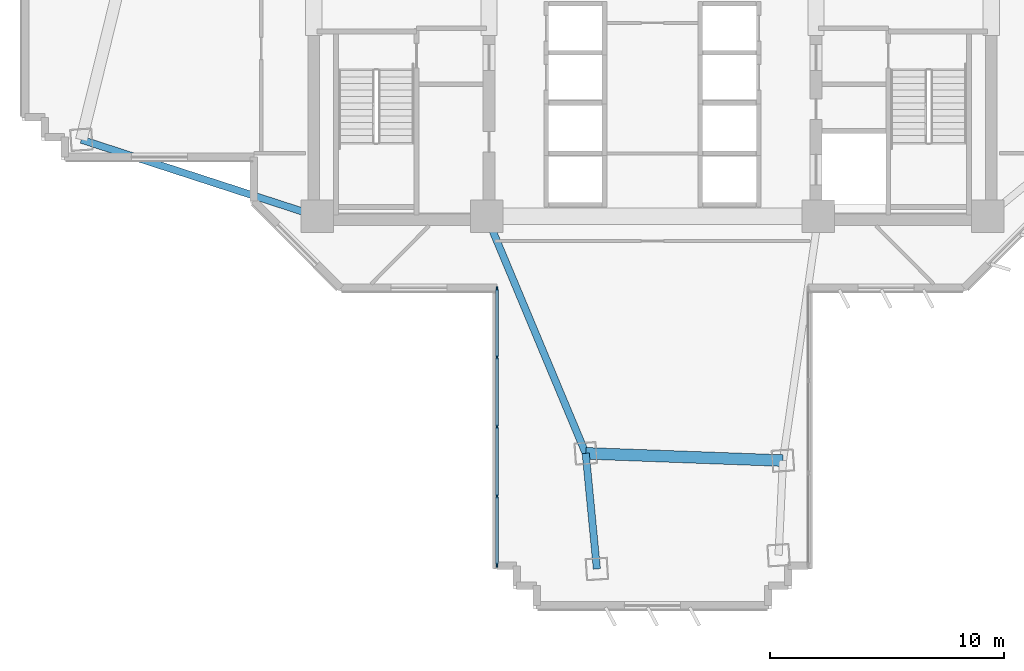
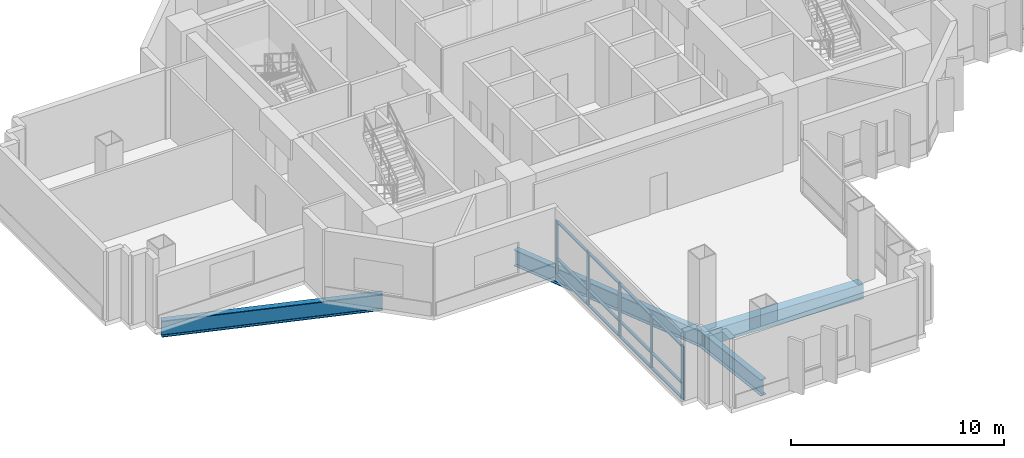
# One storey, part 2 of 14: 17 members, 4 beams, 1 element without a shape of its own.
"""IFC4 building model written with IfcOpenShell, lengths in metres."""

from ifc_helpers import new_model, si_unit, direction, frame, origin, origin_2d, place, context, subcontext, project, spatial, rectangle, i_section, extrude, source, transform, mapped, material, layer, layer_set, material_profile, profile_set, type_object, element, aggregate, save


model = new_model("IFC4")

# Units and contexts
model_context = context("Model", 3, precision=1e-05, world=origin(), true_north=direction((0.0, 1.0)))
body_context = subcontext(model_context, "Body", "Model", "MODEL_VIEW")
ifc_project = project(units=[si_unit("LENGTHUNIT", "METRE"), si_unit("AREAUNIT", "SQUARE_METRE"), si_unit("VOLUMEUNIT", "CUBIC_METRE"), si_unit("PLANEANGLEUNIT", "RADIAN"), si_unit("MASSUNIT", "GRAM", prefix="KILO")], contexts=[model_context])

# Site, building, storey
site_placement = place(None, origin())
site = spatial("IfcSite", under=ifc_project, at=site_placement, CompositionType="ELEMENT")
building_placement = place(site_placement, origin())
building = spatial("IfcBuilding", under=site, at=building_placement, Name="Zahravan Cultural Tower", CompositionType="ELEMENT")
storey_placement = place(building_placement, frame((0.0, 0.0, 33.300048828125)))
storey = spatial("IfcBuildingStorey", under=building, at=storey_placement, Name="L06", CompositionType="ELEMENT", Elevation=33.300048828125)

# Beams
ifc_material_1 = material(Name="Steel ASTM A992 Grade 50", Category="steel")
ifc_material_profile_1 = material_profile(ifc_material_1, i_section(OverallWidth=0.30908203125, OverallDepth=0.931884765625, WebThickness=0.02099609375, FlangeThickness=0.034423828125, FilletRadius=0.02392578125, at=origin_2d()), Name="W36X210")
ifc_profile_set_1 = profile_set([ifc_material_profile_1], Name="Steel ASTM A992 Grade 50")
beam_type_1 = type_object("IfcBeamType", Name="BM-G-W36X210", PredefinedType="BEAM", material=ifc_profile_set_1)
shared_shape_1 = source(origin(), body_context, "Body", "SweptSolid", [
    extrude(i_section(OverallWidth=0.30908203125, OverallDepth=0.931884765625, WebThickness=0.02099609375, FlangeThickness=0.034423828125, FilletRadius=0.02392578125, at=origin_2d()), origin(), (0.0, 0.0, 1.0), 10.615966796875),
])
beam_1_placement = place(storey_placement, frame((21.64990234375, 17.800048828125, -0.716064453125), z_axis=(-0.951063640083, 0.30899506875, 0.0), x_axis=(-0.30899506875, -0.951063640083, 0.0)))
element("IfcBeam", 1, at=beam_1_placement, inside=storey, type_object=beam_type_1, Name="L06 Beam BG-L06-07", PredefinedType="BEAM", context=body_context, shape_type="MappedRepresentation", body=[
    mapped(shared_shape_1, transform((0.0, 0.0, 0.0), x_axis=(1.0, 0.0, 0.0), y_axis=(0.0, 1.0, 0.0), z_axis=(0.0, 0.0, 1.0), scale=1.0)),
])
shared_shape_2 = source(origin(), body_context, "Body", "SweptSolid", [
    extrude(i_section(OverallWidth=0.30908203125, OverallDepth=0.931884765625, WebThickness=0.02099609375, FlangeThickness=0.034423828125, FilletRadius=0.02392578125, at=origin_2d()), origin(), (0.0, 0.0, 1.0), 10.997802734375),
])
beam_2_placement = place(storey_placement, frame((28.89990234375, 17.800048828125, -0.716064453125), z_axis=(0.385775211449, -0.922592806297, 0.0), x_axis=(0.922592806297, 0.385775211449, 0.0)))
element("IfcBeam", 2, at=beam_2_placement, inside=storey, type_object=beam_type_1, Name="L06 Beam BG-L06-08", PredefinedType="BEAM", context=body_context, shape_type="MappedRepresentation", body=[
    mapped(shared_shape_2, transform((0.0, 0.0, 0.0), x_axis=(1.0, 0.0, 0.0), y_axis=(0.0, 1.0, 0.0), z_axis=(0.0, 0.0, 1.0), scale=1.0)),
])
shared_shape_3 = source(origin(), body_context, "Body", "SweptSolid", [
    extrude(i_section(OverallWidth=0.30908203125, OverallDepth=0.931884765625, WebThickness=0.02099609375, FlangeThickness=0.034423828125, FilletRadius=0.02392578125, at=origin_2d()), origin(), (0.0, 0.0, 1.0), 4.973876953125),
])
beam_3_placement = place(storey_placement, frame((33.142578125, 7.653564453125, -0.716064453125), z_axis=(0.096154779131, -0.995366394073, 0.0), x_axis=(0.995366394073, 0.096154779131, 0.0)))
element("IfcBeam", 3, at=beam_3_placement, inside=storey, type_object=beam_type_1, Name="L06 Beam BG-L06-17", PredefinedType="BEAM", context=body_context, shape_type="MappedRepresentation", body=[
    mapped(shared_shape_3, transform((0.0, 0.0, 0.0), x_axis=(1.0, 0.0, 0.0), y_axis=(0.0, 1.0, 0.0), z_axis=(0.0, 0.0, 1.0), scale=1.0)),
])
ifc_material_2 = material(Name="Concrete C50/60", Category="concrete")
ifc_material_profile_2 = material_profile(ifc_material_2, rectangle(XDim=0.5, YDim=0.85009765625, at=origin_2d()), Name="RC500X850")
ifc_profile_set_2 = profile_set([ifc_material_profile_2], Name="Concrete C50/60")
beam_type_2 = type_object("IfcBeamType", Name="BM-SP-RC500X850", PredefinedType="SPANDREL", material=ifc_profile_set_2)
shared_shape_4 = source(origin(), body_context, "Body", "SweptSolid", [
    extrude(rectangle(XDim=0.5, YDim=0.85009765625, at=origin_2d()), origin(), (0.0, 0.0, 1.0), 8.4482421875),
])
beam_4_placement = place(storey_placement, frame((33.142578125, 7.653564453125, -0.675048828125), z_axis=(0.999318826256, -0.036903705643, 0.0), x_axis=(0.036903705643, 0.999318826256, 0.0)))
element("IfcBeam", 4, at=beam_4_placement, inside=storey, type_object=beam_type_2, Name="L06 Beam SP-L06-19", PredefinedType="SPANDREL", context=body_context, shape_type="MappedRepresentation", body=[
    mapped(shared_shape_4, transform((0.0, 0.0, 0.0), x_axis=(1.0, 0.0, 0.0), y_axis=(0.0, 1.0, 0.0), z_axis=(0.0, 0.0, 1.0), scale=1.0)),
])

# Curtain wall, members
ifc_material_3 = material(Name="Anodised bronze-aluminium mullion", Category="aluminium")
ifc_layer = layer(ifc_material_3, 0.179931640625)
ifc_layer_set = layer_set([ifc_layer], Name="Anodised bronze-aluminium mullion")
curtain_wall_type = type_object("IfcCurtainWallType", Name="CW-SYS-3", PredefinedType="USERDEFINED", material=ifc_layer_set)
curtain_wall_placement = place(storey_placement, origin())
curtain_wall = element("IfcCurtainWall", 5, at=curtain_wall_placement, inside=storey, type_object=curtain_wall_type, Name="L06 Recessed Curtain Wall CW-3.2", ObjectType="RECESSED GLAZING", PredefinedType="USERDEFINED")
ifc_material_profile_3 = material_profile(ifc_material_3, rectangle(XDim=0.139892578125, YDim=0.070068359375, at=origin_2d()), Name="AL-T70X140")
ifc_profile_set_3 = profile_set([ifc_material_profile_3], Name="Anodised bronze-aluminium mullion")
member_type_1 = type_object("IfcMemberType", Name="CWT-CW-3", PredefinedType="USERDEFINED", material=ifc_profile_set_3)
shared_shape_5 = source(origin(), body_context, "Body", "SweptSolid", [
    extrude(rectangle(XDim=0.139892578125, YDim=0.070068359375, at=origin_2d()), origin(), (0.0, 0.0, 1.0), 2.8701171875),
])
member_1_placement = place(storey_placement, frame((29.340087890625, 2.909912109375, 0.034912109375), z_axis=(0.0, 1.0, 0.0), x_axis=(-1.0, 0.0, 0.0)))
member_1 = element("IfcMember", 6, at=member_1_placement, type_object=member_type_1, Name="CW-3 transom 1.1", ObjectType="TRANSOM", PredefinedType="USERDEFINED", context=body_context, shape_type="MappedRepresentation", body=[
    mapped(shared_shape_5, transform((0.0, 0.0, 0.0), x_axis=(1.0, 0.0, 0.0), y_axis=(0.0, 1.0, 0.0), z_axis=(0.0, 0.0, 1.0), scale=1.0)),
])
member_2_placement = place(storey_placement, frame((29.340087890625, 2.909912109375, 0.89990234375), z_axis=(0.0, 1.0, 0.0), x_axis=(-1.0, 0.0, 0.0)))
member_2 = element("IfcMember", 7, at=member_2_placement, type_object=member_type_1, Name="CW-3 transom 1.2", ObjectType="TRANSOM", PredefinedType="USERDEFINED", context=body_context, shape_type="MappedRepresentation", body=[
    mapped(shared_shape_5, transform((0.0, 0.0, 0.0), x_axis=(1.0, 0.0, 0.0), y_axis=(0.0, 1.0, 0.0), z_axis=(0.0, 0.0, 1.0), scale=1.0)),
])
member_3_placement = place(storey_placement, frame((29.340087890625, 2.909912109375, 3.034912109375), z_axis=(0.0, 1.0, 0.0), x_axis=(-1.0, 0.0, 0.0)))
member_3 = element("IfcMember", 8, at=member_3_placement, type_object=member_type_1, Name="CW-3 transom 1.3", ObjectType="TRANSOM", PredefinedType="USERDEFINED", context=body_context, shape_type="MappedRepresentation", body=[
    mapped(shared_shape_5, transform((0.0, 0.0, 0.0), x_axis=(1.0, 0.0, 0.0), y_axis=(0.0, 1.0, 0.0), z_axis=(0.0, 0.0, 1.0), scale=1.0)),
])
shared_shape_6 = source(origin(), body_context, "Body", "SweptSolid", [
    extrude(rectangle(XDim=0.139892578125, YDim=0.070068359375, at=origin_2d()), origin(), (0.0, 0.0, 1.0), 2.90478515625),
])
member_4_placement = place(storey_placement, frame((29.340087890625, 5.85009765625, 0.034912109375), z_axis=(0.0, 1.0, 0.0), x_axis=(-1.0, 0.0, 0.0)))
member_4 = element("IfcMember", 9, at=member_4_placement, type_object=member_type_1, Name="CW-3 transom 2.1", ObjectType="TRANSOM", PredefinedType="USERDEFINED", context=body_context, shape_type="MappedRepresentation", body=[
    mapped(shared_shape_6, transform((0.0, 0.0, 0.0), x_axis=(1.0, 0.0, 0.0), y_axis=(0.0, 1.0, 0.0), z_axis=(0.0, 0.0, 1.0), scale=1.0)),
])
member_5_placement = place(storey_placement, frame((29.340087890625, 5.85009765625, 0.89990234375), z_axis=(0.0, 1.0, 0.0), x_axis=(-1.0, 0.0, 0.0)))
member_5 = element("IfcMember", 10, at=member_5_placement, type_object=member_type_1, Name="CW-3 transom 2.2", ObjectType="TRANSOM", PredefinedType="USERDEFINED", context=body_context, shape_type="MappedRepresentation", body=[
    mapped(shared_shape_6, transform((0.0, 0.0, 0.0), x_axis=(1.0, 0.0, 0.0), y_axis=(0.0, 1.0, 0.0), z_axis=(0.0, 0.0, 1.0), scale=1.0)),
])
member_6_placement = place(storey_placement, frame((29.340087890625, 5.85009765625, 3.034912109375), z_axis=(0.0, 1.0, 0.0), x_axis=(-1.0, 0.0, 0.0)))
member_6 = element("IfcMember", 11, at=member_6_placement, type_object=member_type_1, Name="CW-3 transom 2.3", ObjectType="TRANSOM", PredefinedType="USERDEFINED", context=body_context, shape_type="MappedRepresentation", body=[
    mapped(shared_shape_6, transform((0.0, 0.0, 0.0), x_axis=(1.0, 0.0, 0.0), y_axis=(0.0, 1.0, 0.0), z_axis=(0.0, 0.0, 1.0), scale=1.0)),
])
shared_shape_7 = source(origin(), body_context, "Body", "SweptSolid", [
    extrude(rectangle(XDim=0.139892578125, YDim=0.070068359375, at=origin_2d()), origin(), (0.0, 0.0, 1.0), 2.905029296875),
])
member_7_placement = place(storey_placement, frame((29.340087890625, 8.824951171875, 0.034912109375), z_axis=(0.0, 1.0, 0.0), x_axis=(-1.0, 0.0, 0.0)))
member_7 = element("IfcMember", 12, at=member_7_placement, type_object=member_type_1, Name="CW-3 transom 3.1", ObjectType="TRANSOM", PredefinedType="USERDEFINED", context=body_context, shape_type="MappedRepresentation", body=[
    mapped(shared_shape_7, transform((0.0, 0.0, 0.0), x_axis=(1.0, 0.0, 0.0), y_axis=(0.0, 1.0, 0.0), z_axis=(0.0, 0.0, 1.0), scale=1.0)),
])
member_8_placement = place(storey_placement, frame((29.340087890625, 8.824951171875, 0.89990234375), z_axis=(0.0, 1.0, 0.0), x_axis=(-1.0, 0.0, 0.0)))
member_8 = element("IfcMember", 13, at=member_8_placement, type_object=member_type_1, Name="CW-3 transom 3.2", ObjectType="TRANSOM", PredefinedType="USERDEFINED", context=body_context, shape_type="MappedRepresentation", body=[
    mapped(shared_shape_7, transform((0.0, 0.0, 0.0), x_axis=(1.0, 0.0, 0.0), y_axis=(0.0, 1.0, 0.0), z_axis=(0.0, 0.0, 1.0), scale=1.0)),
])
member_9_placement = place(storey_placement, frame((29.340087890625, 8.824951171875, 3.034912109375), z_axis=(0.0, 1.0, 0.0), x_axis=(-1.0, 0.0, 0.0)))
member_9 = element("IfcMember", 14, at=member_9_placement, type_object=member_type_1, Name="CW-3 transom 3.3", ObjectType="TRANSOM", PredefinedType="USERDEFINED", context=body_context, shape_type="MappedRepresentation", body=[
    mapped(shared_shape_7, transform((0.0, 0.0, 0.0), x_axis=(1.0, 0.0, 0.0), y_axis=(0.0, 1.0, 0.0), z_axis=(0.0, 0.0, 1.0), scale=1.0)),
])
shared_shape_8 = source(origin(), body_context, "Body", "SweptSolid", [
    extrude(rectangle(XDim=0.139892578125, YDim=0.070068359375, at=origin_2d()), origin(), (0.0, 0.0, 1.0), 2.869873046875),
])
member_10_placement = place(storey_placement, frame((29.340087890625, 11.800048828125, 0.034912109375), z_axis=(0.0, 1.0, 0.0), x_axis=(-1.0, 0.0, 0.0)))
member_10 = element("IfcMember", 15, at=member_10_placement, type_object=member_type_1, Name="CW-3 transom 4.1", ObjectType="TRANSOM", PredefinedType="USERDEFINED", context=body_context, shape_type="MappedRepresentation", body=[
    mapped(shared_shape_8, transform((0.0, 0.0, 0.0), x_axis=(1.0, 0.0, 0.0), y_axis=(0.0, 1.0, 0.0), z_axis=(0.0, 0.0, 1.0), scale=1.0)),
])
member_11_placement = place(storey_placement, frame((29.340087890625, 11.800048828125, 0.89990234375), z_axis=(0.0, 1.0, 0.0), x_axis=(-1.0, 0.0, 0.0)))
member_11 = element("IfcMember", 16, at=member_11_placement, type_object=member_type_1, Name="CW-3 transom 4.2", ObjectType="TRANSOM", PredefinedType="USERDEFINED", context=body_context, shape_type="MappedRepresentation", body=[
    mapped(shared_shape_8, transform((0.0, 0.0, 0.0), x_axis=(1.0, 0.0, 0.0), y_axis=(0.0, 1.0, 0.0), z_axis=(0.0, 0.0, 1.0), scale=1.0)),
])
member_12_placement = place(storey_placement, frame((29.340087890625, 11.800048828125, 3.034912109375), z_axis=(0.0, 1.0, 0.0), x_axis=(-1.0, 0.0, 0.0)))
member_12 = element("IfcMember", 17, at=member_12_placement, type_object=member_type_1, Name="CW-3 transom 4.3", ObjectType="TRANSOM", PredefinedType="USERDEFINED", context=body_context, shape_type="MappedRepresentation", body=[
    mapped(shared_shape_8, transform((0.0, 0.0, 0.0), x_axis=(1.0, 0.0, 0.0), y_axis=(0.0, 1.0, 0.0), z_axis=(0.0, 0.0, 1.0), scale=1.0)),
])
ifc_material_profile_4 = material_profile(ifc_material_3, rectangle(XDim=0.070068359375, YDim=0.179931640625, at=origin_2d()), Name="AL-M70X180")
ifc_profile_set_4 = profile_set([ifc_material_profile_4], Name="Anodised bronze-aluminium mullion")
member_type_2 = type_object("IfcMemberType", Name="CWM-CW-3", PredefinedType="MULLION", material=ifc_profile_set_4)
shared_shape_9 = source(origin(), body_context, "Body", "SweptSolid", [
    extrude(rectangle(XDim=0.070068359375, YDim=0.179931640625, at=origin_2d()), origin(), (0.0, 0.0, 1.0), 3.070068359375),
])
member_13_placement = place(storey_placement, frame((29.340087890625, 2.875, 0.0), z_axis=(0.0, 0.0, 1.0), x_axis=(-1.0, 0.0, 0.0)))
member_13 = element("IfcMember", 18, at=member_13_placement, type_object=member_type_2, Name="CW-3 mullion 1", PredefinedType="MULLION", context=body_context, shape_type="MappedRepresentation", body=[
    mapped(shared_shape_9, transform((0.0, 0.0, 0.0), x_axis=(1.0, 0.0, 0.0), y_axis=(0.0, 1.0, 0.0), z_axis=(0.0, 0.0, 1.0), scale=1.0)),
])
member_14_placement = place(storey_placement, frame((29.340087890625, 5.81494140625, 0.0), z_axis=(0.0, 0.0, 1.0), x_axis=(-1.0, 0.0, 0.0)))
member_14 = element("IfcMember", 19, at=member_14_placement, type_object=member_type_2, Name="CW-3 mullion 2", PredefinedType="MULLION", context=body_context, shape_type="MappedRepresentation", body=[
    mapped(shared_shape_9, transform((0.0, 0.0, 0.0), x_axis=(1.0, 0.0, 0.0), y_axis=(0.0, 1.0, 0.0), z_axis=(0.0, 0.0, 1.0), scale=1.0)),
])
member_15_placement = place(storey_placement, frame((29.340087890625, 8.7900390625, 0.0), z_axis=(0.0, 0.0, 1.0), x_axis=(-1.0, 0.0, 0.0)))
member_15 = element("IfcMember", 20, at=member_15_placement, type_object=member_type_2, Name="CW-3 mullion 3", PredefinedType="MULLION", context=body_context, shape_type="MappedRepresentation", body=[
    mapped(shared_shape_9, transform((0.0, 0.0, 0.0), x_axis=(1.0, 0.0, 0.0), y_axis=(0.0, 1.0, 0.0), z_axis=(0.0, 0.0, 1.0), scale=1.0)),
])
member_16_placement = place(storey_placement, frame((29.340087890625, 11.764892578125, 0.0), z_axis=(0.0, 0.0, 1.0), x_axis=(-1.0, 0.0, 0.0)))
member_16 = element("IfcMember", 21, at=member_16_placement, type_object=member_type_2, Name="CW-3 mullion 4", PredefinedType="MULLION", context=body_context, shape_type="MappedRepresentation", body=[
    mapped(shared_shape_9, transform((0.0, 0.0, 0.0), x_axis=(1.0, 0.0, 0.0), y_axis=(0.0, 1.0, 0.0), z_axis=(0.0, 0.0, 1.0), scale=1.0)),
])
member_17_placement = place(storey_placement, frame((29.340087890625, 14.705078125, 0.0), z_axis=(0.0, 0.0, 1.0), x_axis=(-1.0, 0.0, 0.0)))
member_17 = element("IfcMember", 22, at=member_17_placement, type_object=member_type_2, Name="CW-3 mullion 5", PredefinedType="MULLION", context=body_context, shape_type="MappedRepresentation", body=[
    mapped(shared_shape_9, transform((0.0, 0.0, 0.0), x_axis=(1.0, 0.0, 0.0), y_axis=(0.0, 1.0, 0.0), z_axis=(0.0, 0.0, 1.0), scale=1.0)),
])
aggregate(curtain_wall, [member_13, member_14, member_15, member_16, member_17, member_1, member_2, member_3, member_4, member_5, member_6, member_7, member_8, member_9, member_10, member_11, member_12])

save(model, "model.ifc")
